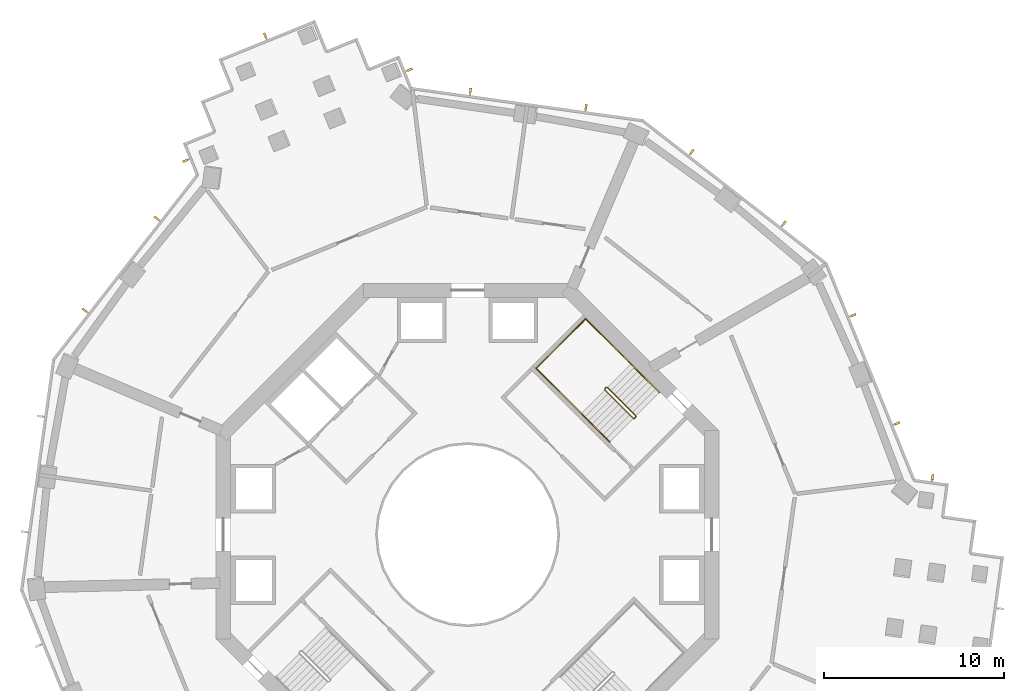
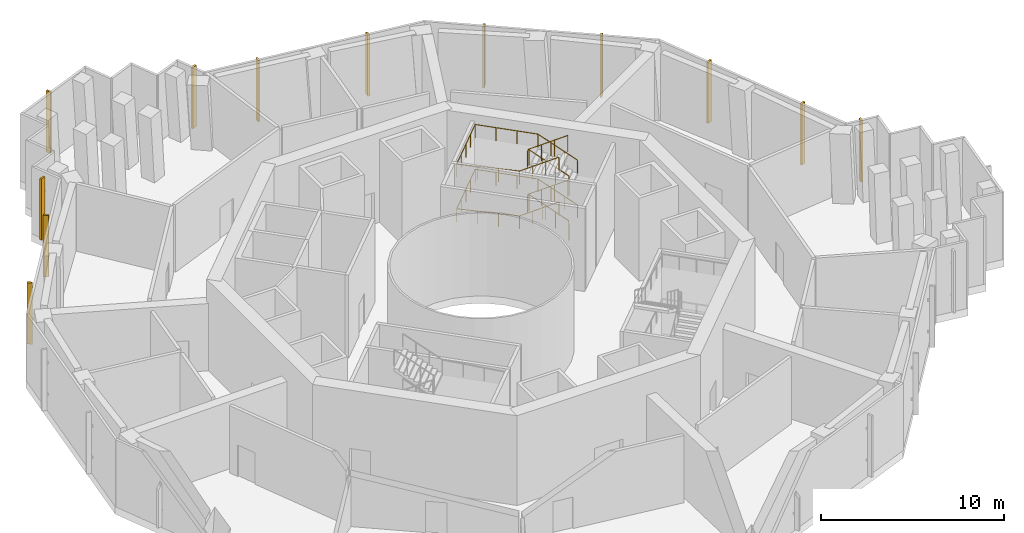
# One storey, part 17 of 17: 12 shading devices, 3 railings.
"""IFC4 building model written with IfcOpenShell, lengths in metres."""

from ifc_helpers import new_model, si_unit, direction, frame, origin, origin_2d, place, context, subcontext, project, spatial, rectangle, circle, extrude, material, material_profile, profile_set, type_object, element, save


model = new_model("IFC4")

# Units and contexts
model_context = context("Model", 3, precision=1e-05, world=origin(), true_north=direction((0.0, 1.0)))
body_context = subcontext(model_context, "Body", "Model", "MODEL_VIEW")
ifc_project = project(units=[si_unit("LENGTHUNIT", "METRE"), si_unit("AREAUNIT", "SQUARE_METRE"), si_unit("VOLUMEUNIT", "CUBIC_METRE"), si_unit("PLANEANGLEUNIT", "RADIAN"), si_unit("MASSUNIT", "GRAM", prefix="KILO")], contexts=[model_context])

# Site, building, storey
site_placement = place(None, origin())
site = spatial("IfcSite", under=ifc_project, at=site_placement, CompositionType="ELEMENT")
building_placement = place(site_placement, origin())
building = spatial("IfcBuilding", under=site, at=building_placement, Name="Verdalira Terraces Hotel", CompositionType="ELEMENT")
storey_placement = place(building_placement, frame((0.0, 0.0, 122.0)))
storey = spatial("IfcBuildingStorey", under=building, at=storey_placement, Name="L29", CompositionType="ELEMENT", Elevation=122.0)

# Railings
ifc_material_1 = material(Name="Stainless steel", Category="steel")
railing_type_1 = type_object("IfcRailingType", Name="Stair guard 1100", PredefinedType="GUARDRAIL", material=ifc_material_1)
railing_1_placement = place(storey_placement, frame((9.369141, 6.540771, 0.0)))
element("IfcRailing", 1, at=railing_1_placement, inside=storey, type_object=railing_type_1, Name="L29 ST1 stair guard 1", PredefinedType="GUARDRAIL", context=body_context, shape_type="SweptSolid", body=[
    extrude(circle(Radius=0.023926, at=origin_2d()), frame((0.0, 0.0, 1.076172), z_axis=(-0.707106781, -0.707106781, 0.0), x_axis=(0.707106781, -0.707106781, 0.0)), (0.0, 0.0, 1.0), 0.100098),
    extrude(circle(Radius=0.023926, at=origin_2d()), frame((-0.070801, -0.070801, 1.076172), z_axis=(0.308122069, 0.615181649, 0.725680598), x_axis=(-0.894118129, 0.447831187, 0.0)), (0.0, 0.0, 1.0), 0.229736),
    extrude(circle(Radius=0.023926, at=origin_2d()), frame((0.0, 0.070557, 1.242676), z_axis=(-0.607628069, 0.607628069, 0.511445266), x_axis=(-0.707106781, -0.707106781, 0.0)), (0.0, 0.0, 1.0), 2.606934),
    extrude(circle(Radius=0.023926, at=origin_2d()), frame((-1.583984, 1.654541, 2.576172), z_axis=(-1.0, 0.0, 0.0), x_axis=(0.0, -1.0, 0.0)), (0.0, 0.0, 1.0), 0.070557),
    extrude(circle(Radius=0.023926, at=origin_2d()), frame((-1.654541, 1.654541, 2.576172), z_axis=(-0.70832698, -0.705884473, 0.0), x_axis=(0.705884473, -0.70832698, 0.0)), (0.0, 0.0, 1.0), 0.099854),
    extrude(circle(Radius=0.023926, at=origin_2d()), frame((-1.725342, 1.583984, 2.576172), z_axis=(0.0, -0.390826706, 0.920464277), x_axis=(1.0, 0.0, 0.0)), (0.0, 0.0, 1.0), 0.181152),
    extrude(circle(Radius=0.023926, at=origin_2d()), frame((-1.725342, 1.513184, 2.742676), z_axis=(0.607628069, -0.607628069, 0.511445266), x_axis=(0.707106781, 0.707106781, 0.0)), (0.0, 0.0, 1.0), 2.606934),
    extrude(circle(Radius=0.023926, at=origin_2d()), frame((-0.141357, -0.070801, 4.076172), z_axis=(1.0, 0.0, 0.0), x_axis=(0.0, 1.0, 0.0)), (0.0, 0.0, 1.0), 0.070557),
    extrude(circle(Radius=0.023926, at=origin_2d()), frame((-0.070801, -0.070801, 4.076172), z_axis=(0.707106781, 0.707106781, 0.0), x_axis=(-0.707106781, 0.707106781, 0.0)), (0.0, 0.0, 1.0), 0.100098),
    extrude(circle(Radius=0.023926, at=origin_2d()), frame((0.0, 0.0, 4.076172), z_axis=(0.0, 0.389683978, 0.92094864), x_axis=(-1.0, 0.0, 0.0)), (0.0, 0.0, 1.0), 0.181152),
    extrude(circle(Radius=0.023926, at=origin_2d()), frame((0.0, 0.070557, 4.242676), z_axis=(-0.607628069, 0.607628069, 0.511445266), x_axis=(-0.707106781, -0.707106781, 0.0)), (0.0, 0.0, 1.0), 2.606934),
    extrude(circle(Radius=0.023926, at=origin_2d()), frame((-1.583984, 1.654541, 5.576172), z_axis=(-1.0, 0.0, 0.0), x_axis=(0.0, -1.0, 0.0)), (0.0, 0.0, 1.0), 0.070557),
    extrude(circle(Radius=0.023926, at=origin_2d()), frame((-1.654541, 1.654541, 5.576172), z_axis=(-0.70832698, -0.705884473, 0.0), x_axis=(0.705884473, -0.70832698, 0.0)), (0.0, 0.0, 1.0), 0.099854),
    extrude(circle(Radius=0.023926, at=origin_2d()), frame((-1.725342, 1.583984, 5.576172), z_axis=(0.0, -0.390826706, 0.920464277), x_axis=(1.0, 0.0, 0.0)), (0.0, 0.0, 1.0), 0.181152),
    extrude(circle(Radius=0.023926, at=origin_2d()), frame((-1.725342, 1.513184, 5.742676), z_axis=(0.607628069, -0.607628069, 0.511445266), x_axis=(0.707106781, 0.707106781, 0.0)), (0.0, 0.0, 1.0), 2.606934),
    extrude(circle(Radius=0.020996, at=origin_2d()), origin(), (0.0, 0.0, 1.0), 1.052002),
    extrude(circle(Radius=0.020996, at=origin_2d()), frame((-0.070801, -0.070801, 0.0)), (0.0, 0.0, 1.0), 1.052002),
    extrude(circle(Radius=0.020996, at=origin_2d()), frame((0.0, 0.070557, 0.166748)), (0.0, 0.0, 1.0), 1.052002),
    extrude(circle(Radius=0.020996, at=origin_2d()), frame((-0.528076, 0.598633, 0.611084)), (0.0, 0.0, 1.0), 1.052002),
    extrude(circle(Radius=0.020996, at=origin_2d()), frame((-1.055908, 1.126465, 1.055664)), (0.0, 0.0, 1.0), 1.052002),
    extrude(circle(Radius=0.020996, at=origin_2d()), frame((-1.583984, 1.654541, 1.5)), (0.0, 0.0, 1.0), 1.052002),
    extrude(circle(Radius=0.020996, at=origin_2d()), frame((-1.654541, 1.654541, 1.5)), (0.0, 0.0, 1.0), 1.052002),
    extrude(circle(Radius=0.020996, at=origin_2d()), frame((-1.725342, 1.583984, 1.5)), (0.0, 0.0, 1.0), 1.052002),
    extrude(circle(Radius=0.020996, at=origin_2d()), frame((-1.725342, 1.513184, 1.666748)), (0.0, 0.0, 1.0), 1.052002),
    extrude(circle(Radius=0.020996, at=origin_2d()), frame((-1.197266, 0.985107, 2.111084)), (0.0, 0.0, 1.0), 1.052002),
    extrude(circle(Radius=0.020996, at=origin_2d()), frame((-0.669434, 0.457275, 2.555664)), (0.0, 0.0, 1.0), 1.052002),
    extrude(circle(Radius=0.020996, at=origin_2d()), frame((-0.141357, -0.070801, 3.0)), (0.0, 0.0, 1.0), 1.052002),
    extrude(circle(Radius=0.020996, at=origin_2d()), frame((-0.070801, -0.070801, 3.0)), (0.0, 0.0, 1.0), 1.052002),
    extrude(circle(Radius=0.020996, at=origin_2d()), frame((0.0, 0.0, 3.0)), (0.0, 0.0, 1.0), 1.052002),
    extrude(circle(Radius=0.020996, at=origin_2d()), frame((0.0, 0.070557, 3.166748)), (0.0, 0.0, 1.0), 1.052002),
    extrude(circle(Radius=0.020996, at=origin_2d()), frame((-0.528076, 0.598633, 3.611084)), (0.0, 0.0, 1.0), 1.052002),
    extrude(circle(Radius=0.020996, at=origin_2d()), frame((-1.055908, 1.126465, 4.055664)), (0.0, 0.0, 1.0), 1.052002),
    extrude(circle(Radius=0.020996, at=origin_2d()), frame((-1.583984, 1.654541, 4.5)), (0.0, 0.0, 1.0), 1.052002),
    extrude(circle(Radius=0.020996, at=origin_2d()), frame((-1.654541, 1.654541, 4.5)), (0.0, 0.0, 1.0), 1.052002),
    extrude(circle(Radius=0.020996, at=origin_2d()), frame((-1.725342, 1.583984, 4.5)), (0.0, 0.0, 1.0), 1.052002),
    extrude(circle(Radius=0.020996, at=origin_2d()), frame((-1.725342, 1.513184, 4.666748)), (0.0, 0.0, 1.0), 1.052002),
    extrude(circle(Radius=0.020996, at=origin_2d()), frame((-1.197266, 0.985107, 5.111084)), (0.0, 0.0, 1.0), 1.052002),
    extrude(circle(Radius=0.020996, at=origin_2d()), frame((-0.669434, 0.457275, 5.555664)), (0.0, 0.0, 1.0), 1.052002),
    extrude(circle(Radius=0.020996, at=origin_2d()), frame((-0.141357, -0.070801, 6.0)), (0.0, 0.0, 1.0), 1.052002),
])
ifc_material_2 = material(Name="Stainless steel", Category="steel")
railing_type_2 = type_object("IfcRailingType", Name="Stair handrail 900", PredefinedType="HANDRAIL", material=ifc_material_2)
railing_2_placement = place(storey_placement, frame((10.677246, 7.919678, 0.166748)))
element("IfcRailing", 2, at=railing_2_placement, inside=storey, type_object=railing_type_2, Name="L29 ST1 stair handrail 1", PredefinedType="HANDRAIL", context=body_context, shape_type="SweptSolid", body=[
    extrude(circle(Radius=0.023926, at=origin_2d()), frame((0.0, 0.0, 0.875977), z_axis=(-0.607603567, 0.607603567, 0.511503481), x_axis=(-0.707106781, -0.707106781, 0.0)), (0.0, 0.0, 1.0), 2.606445),
    extrude(circle(Radius=0.023926, at=origin_2d()), frame((-1.58374, 1.58374, 2.208984), z_axis=(-0.707106781, 0.707106781, 0.0), x_axis=(-0.707106781, -0.707106781, 0.0)), (0.0, 0.0, 1.0), 3.560059),
    extrude(circle(Radius=0.023926, at=origin_2d()), frame((-4.101074, 4.101074, 2.208984), z_axis=(-0.707138081, -0.70707548, 0.0), x_axis=(0.70707548, -0.707138081, 0.0)), (0.0, 0.0, 1.0), 3.899902),
    extrude(circle(Radius=0.023926, at=origin_2d()), frame((-6.858887, 1.343506, 2.208984), z_axis=(0.706332407, -0.706332407, 0.046787415), x_axis=(0.707106781, 0.707106781, 0.0)), (0.0, 0.0, 1.0), 3.563965),
    extrude(circle(Radius=0.023926, at=origin_2d()), frame((-4.341553, -1.173828, 2.375977), z_axis=(0.607628069, -0.607628069, 0.511445266), x_axis=(0.707106781, 0.707106781, 0.0)), (0.0, 0.0, 1.0), 2.606934),
    extrude(circle(Radius=0.020996, at=origin_2d()), origin(), (0.0, 0.0, 1.0), 0.851807),
    extrude(circle(Radius=0.020996, at=origin_2d()), frame((-0.527832, 0.527832, 0.444336)), (0.0, 0.0, 1.0), 0.851807),
    extrude(circle(Radius=0.020996, at=origin_2d()), frame((-1.055908, 1.055908, 0.888916)), (0.0, 0.0, 1.0), 0.851807),
    extrude(circle(Radius=0.020996, at=origin_2d()), frame((-1.58374, 1.58374, 1.333252)), (0.0, 0.0, 1.0), 0.851807),
    extrude(circle(Radius=0.020996, at=origin_2d()), frame((-2.422852, 2.422852, 1.333252)), (0.0, 0.0, 1.0), 0.851807),
    extrude(circle(Radius=0.020996, at=origin_2d()), frame((-3.261963, 3.261963, 1.333252)), (0.0, 0.0, 1.0), 0.851807),
    extrude(circle(Radius=0.020996, at=origin_2d()), frame((-4.101074, 4.101074, 1.333252)), (0.0, 0.0, 1.0), 0.851807),
    extrude(circle(Radius=0.020996, at=origin_2d()), frame((-4.790527, 3.411621, 1.333252)), (0.0, 0.0, 1.0), 0.851807),
    extrude(circle(Radius=0.020996, at=origin_2d()), frame((-5.47998, 2.722168, 1.333252)), (0.0, 0.0, 1.0), 0.851807),
    extrude(circle(Radius=0.020996, at=origin_2d()), frame((-6.169434, 2.032959, 1.333252)), (0.0, 0.0, 1.0), 0.851807),
    extrude(circle(Radius=0.020996, at=origin_2d()), frame((-6.858887, 1.343506, 1.333252)), (0.0, 0.0, 1.0), 0.851807),
    extrude(circle(Radius=0.020996, at=origin_2d()), frame((-6.019775, 0.504395, 1.388916)), (0.0, 0.0, 1.0), 0.851807),
    extrude(circle(Radius=0.020996, at=origin_2d()), frame((-5.180664, -0.334717, 1.444336)), (0.0, 0.0, 1.0), 0.851807),
    extrude(circle(Radius=0.020996, at=origin_2d()), frame((-4.341553, -1.173828, 1.5)), (0.0, 0.0, 1.0), 0.851807),
    extrude(circle(Radius=0.020996, at=origin_2d()), frame((-3.813477, -1.701904, 1.944336)), (0.0, 0.0, 1.0), 0.851807),
    extrude(circle(Radius=0.020996, at=origin_2d()), frame((-3.285645, -2.229736, 2.388916)), (0.0, 0.0, 1.0), 0.851807),
    extrude(circle(Radius=0.020996, at=origin_2d()), frame((-2.757568, -2.757812, 2.833252)), (0.0, 0.0, 1.0), 0.851807),
])
railing_3_placement = place(storey_placement, frame((10.677246, 7.919678, 3.166748)))
element("IfcRailing", 3, at=railing_3_placement, inside=storey, type_object=railing_type_2, Name="L29 ST1 stair handrail 2", PredefinedType="HANDRAIL", context=body_context, shape_type="SweptSolid", body=[
    extrude(circle(Radius=0.023926, at=origin_2d()), frame((0.0, 0.0, 0.875977), z_axis=(-0.607603567, 0.607603567, 0.511503481), x_axis=(-0.707106781, -0.707106781, 0.0)), (0.0, 0.0, 1.0), 2.606445),
    extrude(circle(Radius=0.023926, at=origin_2d()), frame((-1.58374, 1.58374, 2.208984), z_axis=(-0.707106781, 0.707106781, 0.0), x_axis=(-0.707106781, -0.707106781, 0.0)), (0.0, 0.0, 1.0), 3.560059),
    extrude(circle(Radius=0.023926, at=origin_2d()), frame((-4.101074, 4.101074, 2.208984), z_axis=(-0.707138081, -0.70707548, 0.0), x_axis=(0.70707548, -0.707138081, 0.0)), (0.0, 0.0, 1.0), 3.899902),
    extrude(circle(Radius=0.023926, at=origin_2d()), frame((-6.858887, 1.343506, 2.208984), z_axis=(0.706332407, -0.706332407, 0.046787415), x_axis=(0.707106781, 0.707106781, 0.0)), (0.0, 0.0, 1.0), 3.563965),
    extrude(circle(Radius=0.023926, at=origin_2d()), frame((-4.341553, -1.173828, 2.375977), z_axis=(0.607628069, -0.607628069, 0.511445266), x_axis=(0.707106781, 0.707106781, 0.0)), (0.0, 0.0, 1.0), 2.606934),
    extrude(circle(Radius=0.020996, at=origin_2d()), origin(), (0.0, 0.0, 1.0), 0.851807),
    extrude(circle(Radius=0.020996, at=origin_2d()), frame((-0.527832, 0.527832, 0.444336)), (0.0, 0.0, 1.0), 0.851807),
    extrude(circle(Radius=0.020996, at=origin_2d()), frame((-1.055908, 1.055908, 0.888916)), (0.0, 0.0, 1.0), 0.851807),
    extrude(circle(Radius=0.020996, at=origin_2d()), frame((-1.58374, 1.58374, 1.333252)), (0.0, 0.0, 1.0), 0.851807),
    extrude(circle(Radius=0.020996, at=origin_2d()), frame((-2.422852, 2.422852, 1.333252)), (0.0, 0.0, 1.0), 0.851807),
    extrude(circle(Radius=0.020996, at=origin_2d()), frame((-3.261963, 3.261963, 1.333252)), (0.0, 0.0, 1.0), 0.851807),
    extrude(circle(Radius=0.020996, at=origin_2d()), frame((-4.101074, 4.101074, 1.333252)), (0.0, 0.0, 1.0), 0.851807),
    extrude(circle(Radius=0.020996, at=origin_2d()), frame((-4.790527, 3.411621, 1.333252)), (0.0, 0.0, 1.0), 0.851807),
    extrude(circle(Radius=0.020996, at=origin_2d()), frame((-5.47998, 2.722168, 1.333252)), (0.0, 0.0, 1.0), 0.851807),
    extrude(circle(Radius=0.020996, at=origin_2d()), frame((-6.169434, 2.032959, 1.333252)), (0.0, 0.0, 1.0), 0.851807),
    extrude(circle(Radius=0.020996, at=origin_2d()), frame((-6.858887, 1.343506, 1.333252)), (0.0, 0.0, 1.0), 0.851807),
    extrude(circle(Radius=0.020996, at=origin_2d()), frame((-6.019775, 0.504395, 1.388916)), (0.0, 0.0, 1.0), 0.851807),
    extrude(circle(Radius=0.020996, at=origin_2d()), frame((-5.180664, -0.334717, 1.444336)), (0.0, 0.0, 1.0), 0.851807),
    extrude(circle(Radius=0.020996, at=origin_2d()), frame((-4.341553, -1.173828, 1.5)), (0.0, 0.0, 1.0), 0.851807),
    extrude(circle(Radius=0.020996, at=origin_2d()), frame((-3.813477, -1.701904, 1.944336)), (0.0, 0.0, 1.0), 0.851807),
    extrude(circle(Radius=0.020996, at=origin_2d()), frame((-3.285645, -2.229736, 2.388916)), (0.0, 0.0, 1.0), 0.851807),
    extrude(circle(Radius=0.020996, at=origin_2d()), frame((-2.757568, -2.757812, 2.833252)), (0.0, 0.0, 1.0), 0.851807),
])

# Shading devices
ifc_material_3 = material(Name="Terracotta frame", Category="masonry")
ifc_material_profile = material_profile(ifc_material_3, rectangle(XDim=0.120117, YDim=0.300049, at=origin_2d()), Name="FIN 120x300")
ifc_profile_set = profile_set([ifc_material_profile], Name="Terracotta frame")
shading_device_type = type_object("IfcShadingDeviceType", Name="Terracotta fin 120x300", PredefinedType="USERDEFINED", material=ifc_profile_set)
for number, where, z_axis, x_axis, name in (
    (4, (-3.219971, 25.894287, 0.199951), (0.0, 0.0, 1.0), (-0.375900821, 0.926659901, 0.0), "Terracotta fin"),
    (5, (-11.278076, 27.80249, 0.199951), (0.0, 0.0, 1.0), (-0.926659901, -0.375900821, 0.0), "Terracotta fin"),
    (6, (-15.729736, 20.819824, 0.199951), (0.0, 0.0, 1.0), (0.375900821, -0.926659901, 0.0), "Terracotta fin"),
    (7, (-17.33667, 17.625732, 0.199951), (0.0, 0.0, 1.0), (-0.614560605, -0.788869611, 0.0), "Terracotta fin"),
    (8, (-21.331299, 12.498047, 0.199951), (0.0, 0.0, 1.0), (-0.614560605, -0.788869611, 0.0), "Terracotta fin"),
    (9, (25.895264, 3.212402, 0.199951), (0.0, 0.0, 1.0), (-0.990461426, 0.137790291, 0.0), "Terracotta fin"),
    (10, (23.932617, 6.201172, 0.199951), (0.0, 0.0, 1.0), (-0.375900821, 0.926659901, 0.0), "Terracotta fin"),
    (11, (21.489258, 12.224365, 0.199951), (0.0, 0.0, 1.0), (-0.375900821, 0.926659901, 0.0), "Terracotta fin"),
    (12, (17.625732, 17.33667, 0.199951), (0.0, 0.0, 1.0), (-0.788869611, 0.614560605, 0.0), "Terracotta fin"),
    (13, (12.498047, 21.331299, 0.199951), (0.0, 0.0, 1.0), (-0.788869611, 0.614560605, 0.0), "Terracotta fin"),
    (14, (6.595947, 23.82666, 0.199951), (0.0, 0.0, 1.0), (-0.990461426, 0.137790291, 0.0), "Terracotta fin"),
    (15, (0.157959, 24.722412, 0.199951), (0.0, 0.0, 1.0), (-0.990461426, 0.137790291, 0.0), "Terracotta fin"),
):
    element("IfcShadingDevice", number, at=place(storey_placement, frame(where, z_axis=z_axis, x_axis=x_axis)), inside=storey, type_object=shading_device_type, Name=name, ObjectType="FIN", PredefinedType="USERDEFINED", context=body_context, shape_type="SweptSolid", body=[
        extrude(rectangle(XDim=0.120117, YDim=0.300049, at=origin_2d()), origin(), (0.0, 0.0, 1.0), 4.100098),
    ])

save(model, "model.ifc")
